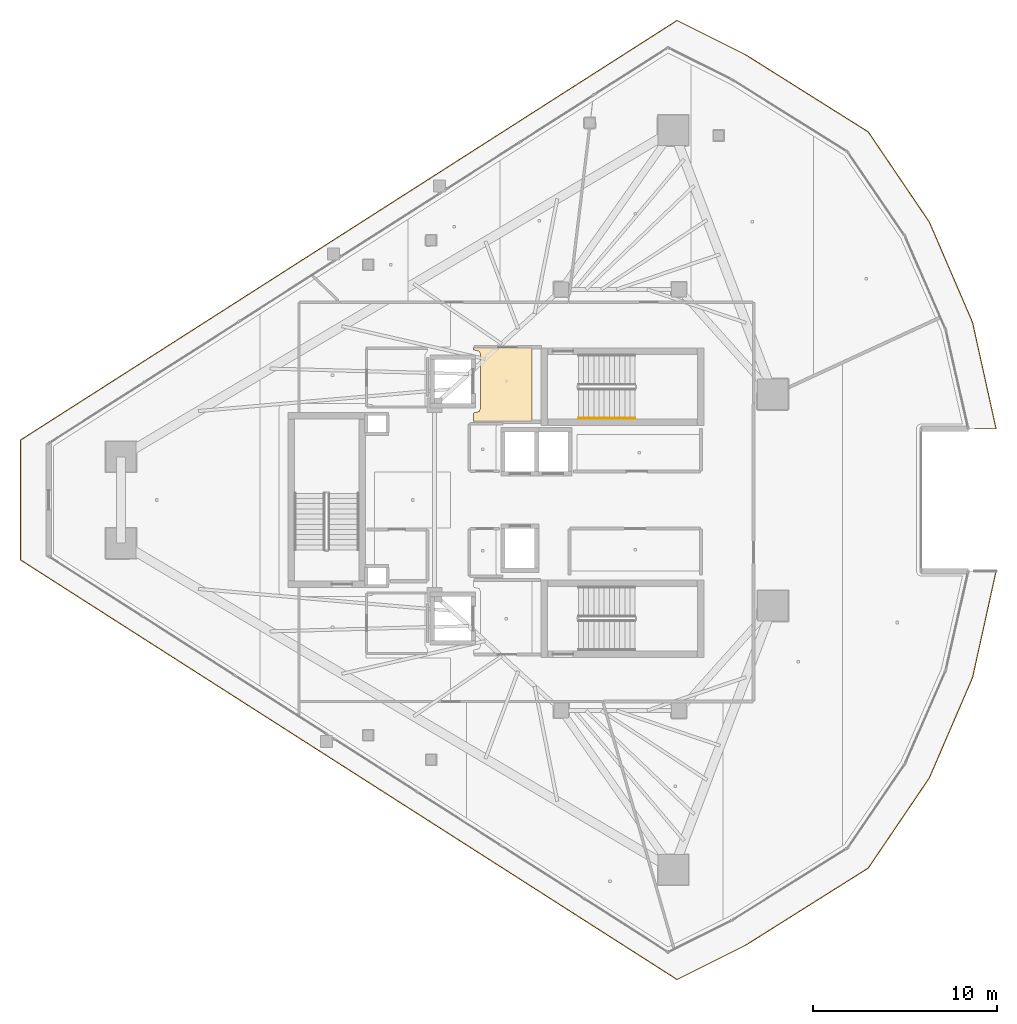
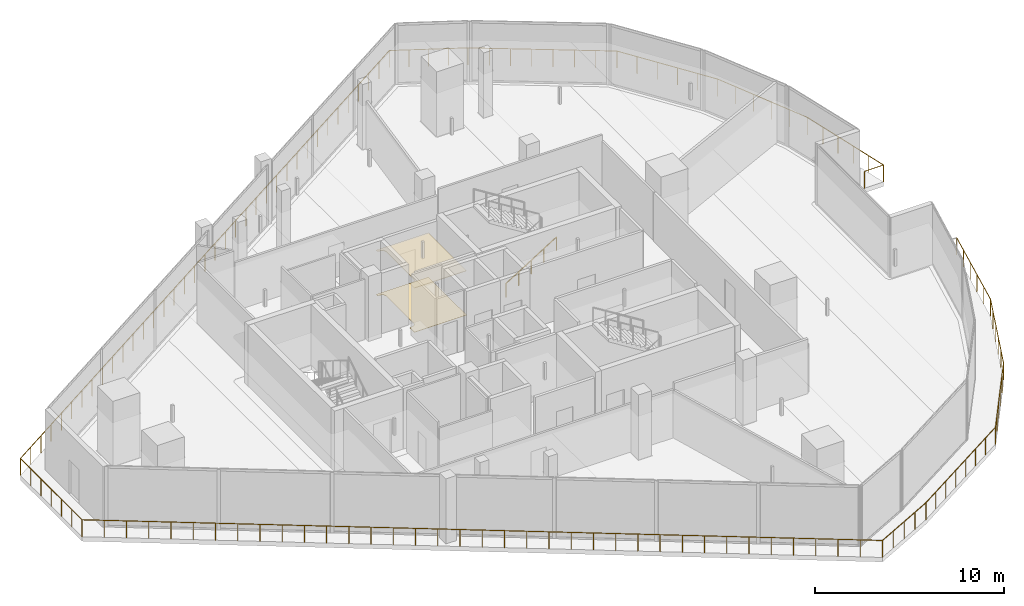
# One storey, part 29 of 31: 2 coverings, 2 railings.
"""IFC4 building model written with IfcOpenShell, lengths in metres."""

from ifc_helpers import new_model, si_unit, direction, frame, origin, origin_2d, place, context, subcontext, project, spatial, polyline, circle, outline, extrude, material, layer, layer_set, type_object, element, save


model = new_model("IFC4")

# Units and contexts
model_context = context("Model", 3, precision=1e-05, world=origin(), true_north=direction((0.0, 1.0)))
body_context = subcontext(model_context, "Body", "Model", "MODEL_VIEW")
ifc_project = project(units=[si_unit("LENGTHUNIT", "METRE"), si_unit("AREAUNIT", "SQUARE_METRE"), si_unit("VOLUMEUNIT", "CUBIC_METRE"), si_unit("PLANEANGLEUNIT", "RADIAN"), si_unit("MASSUNIT", "GRAM", prefix="KILO")], contexts=[model_context])

# Site, building, storey
site_placement = place(None, origin())
site = spatial("IfcSite", under=ifc_project, at=site_placement, CompositionType="ELEMENT")
building_placement = place(site_placement, origin())
building = spatial("IfcBuilding", under=site, at=building_placement, Name="Qorvath Tower", CompositionType="ELEMENT")
storey_placement = place(building_placement, frame((0.0, 0.0, 264.0)))
storey = spatial("IfcBuildingStorey", under=building, at=storey_placement, Name="L61", CompositionType="ELEMENT", Elevation=264.0)

# Coverings
ifc_material_1 = material(Name="Acoustic mineral fibre ceiling tile", Category="gypsum")
ifc_layer_1 = layer(ifc_material_1, 0.030029296875)
ifc_layer_set_1 = layer_set([ifc_layer_1], Name="COV-CEIL")
covering_type_1 = type_object("IfcCoveringType", Name="COV-CEIL", PredefinedType="CEILING", material=ifc_layer_set_1)
covering_1_placement = place(storey_placement, frame((0.0, 0.0, 2.85009765625)))
element("IfcCovering", 1, at=covering_1_placement, inside=storey, type_object=covering_type_1, Name="L61 Suspended Acoustic Ceiling 001", PredefinedType="CEILING", context=body_context, shape_type="SweptSolid", body=[
    extrude(outline(polyline([(-25.18994140625, 4.2548828125), (-25.18994140625, 8.294921875), (-28.375, 8.294921875), (-28.375, 8.159912109375), (-28.063232421875, 8.086669921875), (-27.989990234375, 7.909912109375), (-27.989990234375, 4.989990234375), (-28.063232421875, 4.813232421875), (-28.375, 4.739990234375), (-28.375, 4.2548828125), (-25.18994140625, 4.2548828125)])), origin(), (0.0, 0.0, 1.0), 0.030029296875),
])
ifc_material_2 = material(Name="Polished epoxy terrazzo flooring", Category="concrete")
ifc_layer_2 = layer(ifc_material_2, 0.02001953125)
ifc_layer_set_2 = layer_set([ifc_layer_2], Name="COV-FLOOR-TRZ")
covering_type_2 = type_object("IfcCoveringType", Name="COV-FLOOR-TRZ", PredefinedType="FLOORING", material=ifc_layer_set_2)
covering_2_placement = place(storey_placement, origin())
element("IfcCovering", 2, at=covering_2_placement, inside=storey, type_object=covering_type_2, Name="L61 Floor Finish 001", PredefinedType="FLOORING", context=body_context, shape_type="SweptSolid", body=[
    extrude(outline(polyline([(-25.18994140625, 4.2548828125), (-25.18994140625, 8.294921875), (-28.375, 8.294921875), (-28.375, 8.159912109375), (-28.063232421875, 8.086669921875), (-27.989990234375, 7.909912109375), (-27.989990234375, 4.989990234375), (-28.063232421875, 4.813232421875), (-28.375, 4.739990234375), (-28.375, 4.2548828125), (-25.18994140625, 4.2548828125)])), origin(), (0.0, 0.0, 1.0), 0.014892578125),
])

# Railings
ifc_material_3 = material(Name="Laminated safety glass and stainless steel AISI 316", Category="steel")
railing_type_1 = type_object("IfcRailingType", Name="RL-EXT-GRD", PredefinedType="GUARDRAIL", material=ifc_material_3)
railing_1_placement = place(storey_placement, frame((0.0419921875, -3.871826171875, 0.0)))
element("IfcRailing", 3, at=railing_1_placement, inside=storey, type_object=railing_type_1, Name="Loggia Perimeter Guardrail L61-1.1", PredefinedType="GUARDRAIL", context=body_context, shape_type="SweptSolid", body=[
    extrude(circle(Radius=0.02392578125, at=origin_2d()), frame((0.0, 0.0, 1.09619140625), z_axis=(-0.216101975882, -0.976370798426, 0.0), x_axis=(0.976370798426, -0.216101975882, 0.0)), (0.0, 0.0, 1.0), 5.928955078125),
    extrude(circle(Radius=0.02392578125, at=origin_2d()), frame((-1.28125, -5.788818359375, 1.09619140625), z_axis=(-0.395474271898, -0.91847705484, 0.0), x_axis=(0.91847705484, -0.395474271898, 0.0)), (0.0, 0.0, 1.0), 5.928955078125),
    extrude(circle(Radius=0.02392578125, at=origin_2d()), frame((-3.6259765625, -11.234375, 1.09619140625), z_axis=(-0.560823562392, -0.827935342805, 0.0), x_axis=(0.827935342805, -0.560823562392, 0.0)), (0.0, 0.0, 1.0), 5.92919921875),
    extrude(circle(Radius=0.02392578125, at=origin_2d()), frame((-6.951171875, -16.143310546875, 1.09619140625), z_axis=(-0.846500592816, -0.532387778186, 0.0), x_axis=(0.532387778186, -0.846500592816, 0.0)), (0.0, 0.0, 1.0), 7.88427734375),
    extrude(circle(Radius=0.02392578125, at=origin_2d()), frame((-13.625244140625, -20.3408203125, 1.09619140625), z_axis=(-0.894427191, -0.4472135955, 0.0), x_axis=(0.4472135955, -0.894427191, 0.0)), (0.0, 0.0, 1.0), 4.164794921875),
    extrude(circle(Radius=0.02392578125, at=origin_2d()), frame((-17.350341796875, -22.203369140625, 1.09619140625), z_axis=(-0.842603941371, 0.538533748233, 0.0), x_axis=(-0.538533748233, -0.842603941371, 0.0)), (0.0, 0.0, 1.0), 42.3662109375),
    extrude(circle(Radius=0.02392578125, at=origin_2d()), frame((-53.04833984375, 0.6123046875, 1.09619140625), z_axis=(0.0, 1.0, 0.0), x_axis=(-1.0, 0.0, 0.0)), (0.0, 0.0, 1.0), 6.51904296875),
    extrude(circle(Radius=0.02392578125, at=origin_2d()), frame((-53.04833984375, 7.13134765625, 1.09619140625), z_axis=(0.842603941371, 0.538533748233, 0.0), x_axis=(-0.538533748233, 0.842603941371, 0.0)), (0.0, 0.0, 1.0), 42.3662109375),
    extrude(circle(Radius=0.02392578125, at=origin_2d()), frame((-17.350341796875, 29.947021484375, 1.09619140625), z_axis=(0.894427191, -0.4472135955, 0.0), x_axis=(0.4472135955, 0.894427191, 0.0)), (0.0, 0.0, 1.0), 4.164794921875),
    extrude(circle(Radius=0.02392578125, at=origin_2d()), frame((-13.625244140625, 28.08447265625, 1.09619140625), z_axis=(0.846500592816, -0.532387778186, 0.0), x_axis=(0.532387778186, 0.846500592816, 0.0)), (0.0, 0.0, 1.0), 7.88427734375),
    extrude(circle(Radius=0.02392578125, at=origin_2d()), frame((-6.951171875, 23.886962890625, 1.09619140625), z_axis=(0.560823562392, -0.827935342805, 0.0), x_axis=(0.827935342805, 0.560823562392, 0.0)), (0.0, 0.0, 1.0), 5.92919921875),
    extrude(circle(Radius=0.02392578125, at=origin_2d()), frame((-3.6259765625, 18.97802734375, 1.09619140625), z_axis=(0.395474271898, -0.91847705484, 0.0), x_axis=(0.91847705484, 0.395474271898, 0.0)), (0.0, 0.0, 1.0), 5.928955078125),
    extrude(circle(Radius=0.02392578125, at=origin_2d()), frame((-1.28125, 13.532470703125, 1.09619140625), z_axis=(0.216101975882, -0.976370798426, 0.0), x_axis=(0.976370798426, 0.216101975882, 0.0)), (0.0, 0.0, 1.0), 5.928955078125),
    extrude(circle(Radius=0.02392578125, at=origin_2d()), frame((0.0, 7.74365234375, 1.09619140625), z_axis=(-1.0, 0.0, 0.0), x_axis=(0.0, -1.0, 0.0)), (0.0, 0.0, 1.0), 1.158935546875),
    extrude(circle(Radius=0.02099609375, at=origin_2d()), origin(), (0.0, 0.0, 1.0), 1.072021484375),
    extrude(circle(Radius=0.02099609375, at=origin_2d()), frame((-0.25634765625, -1.15771484375, 0.0)), (0.0, 0.0, 1.0), 1.072021484375),
    extrude(circle(Radius=0.02099609375, at=origin_2d()), frame((-0.512451171875, -2.3154296875, 0.0)), (0.0, 0.0, 1.0), 1.072021484375),
    extrude(circle(Radius=0.02099609375, at=origin_2d()), frame((-0.768798828125, -3.473388671875, 0.0)), (0.0, 0.0, 1.0), 1.072021484375),
    extrude(circle(Radius=0.02099609375, at=origin_2d()), frame((-1.02490234375, -4.631103515625, 0.0)), (0.0, 0.0, 1.0), 1.072021484375),
    extrude(circle(Radius=0.02099609375, at=origin_2d()), frame((-1.28125, -5.788818359375, 0.0)), (0.0, 0.0, 1.0), 1.072021484375),
    extrude(circle(Radius=0.02099609375, at=origin_2d()), frame((-1.750244140625, -6.8779296875, 0.0)), (0.0, 0.0, 1.0), 1.072021484375),
    extrude(circle(Radius=0.02099609375, at=origin_2d()), frame((-2.21923828125, -7.967041015625, 0.0)), (0.0, 0.0, 1.0), 1.072021484375),
    extrude(circle(Radius=0.02099609375, at=origin_2d()), frame((-2.68798828125, -9.05615234375, 0.0)), (0.0, 0.0, 1.0), 1.072021484375),
    extrude(circle(Radius=0.02099609375, at=origin_2d()), frame((-3.156982421875, -10.145263671875, 0.0)), (0.0, 0.0, 1.0), 1.072021484375),
    extrude(circle(Radius=0.02099609375, at=origin_2d()), frame((-3.6259765625, -11.234375, 0.0)), (0.0, 0.0, 1.0), 1.072021484375),
    extrude(circle(Radius=0.02099609375, at=origin_2d()), frame((-4.291015625, -12.216064453125, 0.0)), (0.0, 0.0, 1.0), 1.072021484375),
    extrude(circle(Radius=0.02099609375, at=origin_2d()), frame((-4.9560546875, -13.197998046875, 0.0)), (0.0, 0.0, 1.0), 1.072021484375),
    extrude(circle(Radius=0.02099609375, at=origin_2d()), frame((-5.62109375, -14.1796875, 0.0)), (0.0, 0.0, 1.0), 1.072021484375),
    extrude(circle(Radius=0.02099609375, at=origin_2d()), frame((-6.2861328125, -15.16162109375, 0.0)), (0.0, 0.0, 1.0), 1.072021484375),
    extrude(circle(Radius=0.02099609375, at=origin_2d()), frame((-6.951171875, -16.143310546875, 0.0)), (0.0, 0.0, 1.0), 1.072021484375),
    extrude(circle(Radius=0.02099609375, at=origin_2d()), frame((-7.904541015625, -16.742919921875, 0.0)), (0.0, 0.0, 1.0), 1.072021484375),
    extrude(circle(Radius=0.02099609375, at=origin_2d()), frame((-8.858154296875, -17.342529296875, 0.0)), (0.0, 0.0, 1.0), 1.072021484375),
    extrude(circle(Radius=0.02099609375, at=origin_2d()), frame((-9.8115234375, -17.942138671875, 0.0)), (0.0, 0.0, 1.0), 1.072021484375),
    extrude(circle(Radius=0.02099609375, at=origin_2d()), frame((-10.764892578125, -18.5419921875, 0.0)), (0.0, 0.0, 1.0), 1.072021484375),
    extrude(circle(Radius=0.02099609375, at=origin_2d()), frame((-11.71826171875, -19.1416015625, 0.0)), (0.0, 0.0, 1.0), 1.072021484375),
    extrude(circle(Radius=0.02099609375, at=origin_2d()), frame((-12.671875, -19.7412109375, 0.0)), (0.0, 0.0, 1.0), 1.072021484375),
    extrude(circle(Radius=0.02099609375, at=origin_2d()), frame((-13.625244140625, -20.3408203125, 0.0)), (0.0, 0.0, 1.0), 1.072021484375),
    extrude(circle(Radius=0.02099609375, at=origin_2d()), frame((-14.556640625, -20.806396484375, 0.0)), (0.0, 0.0, 1.0), 1.072021484375),
    extrude(circle(Radius=0.02099609375, at=origin_2d()), frame((-15.48779296875, -21.27197265625, 0.0)), (0.0, 0.0, 1.0), 1.072021484375),
    extrude(circle(Radius=0.02099609375, at=origin_2d()), frame((-16.4189453125, -21.73779296875, 0.0)), (0.0, 0.0, 1.0), 1.072021484375),
    extrude(circle(Radius=0.02099609375, at=origin_2d()), frame((-17.350341796875, -22.203369140625, 0.0)), (0.0, 0.0, 1.0), 1.072021484375),
    extrude(circle(Radius=0.02099609375, at=origin_2d()), frame((-18.342041015625, -21.569580078125, 0.0)), (0.0, 0.0, 1.0), 1.072021484375),
    extrude(circle(Radius=0.02099609375, at=origin_2d()), frame((-19.33349609375, -20.935791015625, 0.0)), (0.0, 0.0, 1.0), 1.072021484375),
    extrude(circle(Radius=0.02099609375, at=origin_2d()), frame((-20.3251953125, -20.302001953125, 0.0)), (0.0, 0.0, 1.0), 1.072021484375),
    extrude(circle(Radius=0.02099609375, at=origin_2d()), frame((-21.31689453125, -19.668212890625, 0.0)), (0.0, 0.0, 1.0), 1.072021484375),
    extrude(circle(Radius=0.02099609375, at=origin_2d()), frame((-22.308349609375, -19.034423828125, 0.0)), (0.0, 0.0, 1.0), 1.072021484375),
    extrude(circle(Radius=0.02099609375, at=origin_2d()), frame((-23.300048828125, -18.40087890625, 0.0)), (0.0, 0.0, 1.0), 1.072021484375),
    extrude(circle(Radius=0.02099609375, at=origin_2d()), frame((-24.29150390625, -17.76708984375, 0.0)), (0.0, 0.0, 1.0), 1.072021484375),
    extrude(circle(Radius=0.02099609375, at=origin_2d()), frame((-25.283203125, -17.13330078125, 0.0)), (0.0, 0.0, 1.0), 1.072021484375),
    extrude(circle(Radius=0.02099609375, at=origin_2d()), frame((-26.27490234375, -16.49951171875, 0.0)), (0.0, 0.0, 1.0), 1.072021484375),
    extrude(circle(Radius=0.02099609375, at=origin_2d()), frame((-27.266357421875, -15.86572265625, 0.0)), (0.0, 0.0, 1.0), 1.072021484375),
    extrude(circle(Radius=0.02099609375, at=origin_2d()), frame((-28.258056640625, -15.23193359375, 0.0)), (0.0, 0.0, 1.0), 1.072021484375),
    extrude(circle(Radius=0.02099609375, at=origin_2d()), frame((-29.249755859375, -14.59814453125, 0.0)), (0.0, 0.0, 1.0), 1.072021484375),
    extrude(circle(Radius=0.02099609375, at=origin_2d()), frame((-30.2412109375, -13.96435546875, 0.0)), (0.0, 0.0, 1.0), 1.072021484375),
    extrude(circle(Radius=0.02099609375, at=origin_2d()), frame((-31.23291015625, -13.33056640625, 0.0)), (0.0, 0.0, 1.0), 1.072021484375),
    extrude(circle(Radius=0.02099609375, at=origin_2d()), frame((-32.224609375, -12.69677734375, 0.0)), (0.0, 0.0, 1.0), 1.072021484375),
    extrude(circle(Radius=0.02099609375, at=origin_2d()), frame((-33.216064453125, -12.06298828125, 0.0)), (0.0, 0.0, 1.0), 1.072021484375),
    extrude(circle(Radius=0.02099609375, at=origin_2d()), frame((-34.207763671875, -11.42919921875, 0.0)), (0.0, 0.0, 1.0), 1.072021484375),
    extrude(circle(Radius=0.02099609375, at=origin_2d()), frame((-35.19921875, -10.79541015625, 0.0)), (0.0, 0.0, 1.0), 1.072021484375),
    extrude(circle(Radius=0.02099609375, at=origin_2d()), frame((-36.19091796875, -10.161865234375, 0.0)), (0.0, 0.0, 1.0), 1.072021484375),
    extrude(circle(Radius=0.02099609375, at=origin_2d()), frame((-37.1826171875, -9.528076171875, 0.0)), (0.0, 0.0, 1.0), 1.072021484375),
    extrude(circle(Radius=0.02099609375, at=origin_2d()), frame((-38.174072265625, -8.894287109375, 0.0)), (0.0, 0.0, 1.0), 1.072021484375),
    extrude(circle(Radius=0.02099609375, at=origin_2d()), frame((-39.165771484375, -8.260498046875, 0.0)), (0.0, 0.0, 1.0), 1.072021484375),
    extrude(circle(Radius=0.02099609375, at=origin_2d()), frame((-40.157470703125, -7.626708984375, 0.0)), (0.0, 0.0, 1.0), 1.072021484375),
    extrude(circle(Radius=0.02099609375, at=origin_2d()), frame((-41.14892578125, -6.992919921875, 0.0)), (0.0, 0.0, 1.0), 1.072021484375),
    extrude(circle(Radius=0.02099609375, at=origin_2d()), frame((-42.140625, -6.359130859375, 0.0)), (0.0, 0.0, 1.0), 1.072021484375),
    extrude(circle(Radius=0.02099609375, at=origin_2d()), frame((-43.13232421875, -5.725341796875, 0.0)), (0.0, 0.0, 1.0), 1.072021484375),
    extrude(circle(Radius=0.02099609375, at=origin_2d()), frame((-44.123779296875, -5.091552734375, 0.0)), (0.0, 0.0, 1.0), 1.072021484375),
    extrude(circle(Radius=0.02099609375, at=origin_2d()), frame((-45.115478515625, -4.457763671875, 0.0)), (0.0, 0.0, 1.0), 1.072021484375),
    extrude(circle(Radius=0.02099609375, at=origin_2d()), frame((-46.107177734375, -3.823974609375, 0.0)), (0.0, 0.0, 1.0), 1.072021484375),
    extrude(circle(Radius=0.02099609375, at=origin_2d()), frame((-47.0986328125, -3.1904296875, 0.0)), (0.0, 0.0, 1.0), 1.072021484375),
    extrude(circle(Radius=0.02099609375, at=origin_2d()), frame((-48.09033203125, -2.556640625, 0.0)), (0.0, 0.0, 1.0), 1.072021484375),
    extrude(circle(Radius=0.02099609375, at=origin_2d()), frame((-49.081787109375, -1.9228515625, 0.0)), (0.0, 0.0, 1.0), 1.072021484375),
    extrude(circle(Radius=0.02099609375, at=origin_2d()), frame((-50.073486328125, -1.2890625, 0.0)), (0.0, 0.0, 1.0), 1.072021484375),
    extrude(circle(Radius=0.02099609375, at=origin_2d()), frame((-51.065185546875, -0.6552734375, 0.0)), (0.0, 0.0, 1.0), 1.072021484375),
    extrude(circle(Radius=0.02099609375, at=origin_2d()), frame((-52.056640625, -0.021484375, 0.0)), (0.0, 0.0, 1.0), 1.072021484375),
    extrude(circle(Radius=0.02099609375, at=origin_2d()), frame((-53.04833984375, 0.6123046875, 0.0)), (0.0, 0.0, 1.0), 1.072021484375),
    extrude(circle(Radius=0.02099609375, at=origin_2d()), frame((-53.04833984375, 1.69873046875, 0.0)), (0.0, 0.0, 1.0), 1.072021484375),
    extrude(circle(Radius=0.02099609375, at=origin_2d()), frame((-53.04833984375, 2.785400390625, 0.0)), (0.0, 0.0, 1.0), 1.072021484375),
    extrude(circle(Radius=0.02099609375, at=origin_2d()), frame((-53.04833984375, 3.871826171875, 0.0)), (0.0, 0.0, 1.0), 1.072021484375),
    extrude(circle(Radius=0.02099609375, at=origin_2d()), frame((-53.04833984375, 4.958251953125, 0.0)), (0.0, 0.0, 1.0), 1.072021484375),
    extrude(circle(Radius=0.02099609375, at=origin_2d()), frame((-53.04833984375, 6.044921875, 0.0)), (0.0, 0.0, 1.0), 1.072021484375),
    extrude(circle(Radius=0.02099609375, at=origin_2d()), frame((-53.04833984375, 7.13134765625, 0.0)), (0.0, 0.0, 1.0), 1.072021484375),
    extrude(circle(Radius=0.02099609375, at=origin_2d()), frame((-52.056640625, 7.76513671875, 0.0)), (0.0, 0.0, 1.0), 1.072021484375),
    extrude(circle(Radius=0.02099609375, at=origin_2d()), frame((-51.065185546875, 8.39892578125, 0.0)), (0.0, 0.0, 1.0), 1.072021484375),
    extrude(circle(Radius=0.02099609375, at=origin_2d()), frame((-50.073486328125, 9.03271484375, 0.0)), (0.0, 0.0, 1.0), 1.072021484375),
    extrude(circle(Radius=0.02099609375, at=origin_2d()), frame((-49.081787109375, 9.66650390625, 0.0)), (0.0, 0.0, 1.0), 1.072021484375),
    extrude(circle(Radius=0.02099609375, at=origin_2d()), frame((-48.09033203125, 10.30029296875, 0.0)), (0.0, 0.0, 1.0), 1.072021484375),
    extrude(circle(Radius=0.02099609375, at=origin_2d()), frame((-47.0986328125, 10.93408203125, 0.0)), (0.0, 0.0, 1.0), 1.072021484375),
    extrude(circle(Radius=0.02099609375, at=origin_2d()), frame((-46.107177734375, 11.567626953125, 0.0)), (0.0, 0.0, 1.0), 1.072021484375),
    extrude(circle(Radius=0.02099609375, at=origin_2d()), frame((-45.115478515625, 12.201416015625, 0.0)), (0.0, 0.0, 1.0), 1.072021484375),
    extrude(circle(Radius=0.02099609375, at=origin_2d()), frame((-44.123779296875, 12.835205078125, 0.0)), (0.0, 0.0, 1.0), 1.072021484375),
    extrude(circle(Radius=0.02099609375, at=origin_2d()), frame((-43.13232421875, 13.468994140625, 0.0)), (0.0, 0.0, 1.0), 1.072021484375),
    extrude(circle(Radius=0.02099609375, at=origin_2d()), frame((-42.140625, 14.102783203125, 0.0)), (0.0, 0.0, 1.0), 1.072021484375),
    extrude(circle(Radius=0.02099609375, at=origin_2d()), frame((-41.14892578125, 14.736572265625, 0.0)), (0.0, 0.0, 1.0), 1.072021484375),
    extrude(circle(Radius=0.02099609375, at=origin_2d()), frame((-40.157470703125, 15.370361328125, 0.0)), (0.0, 0.0, 1.0), 1.072021484375),
    extrude(circle(Radius=0.02099609375, at=origin_2d()), frame((-39.165771484375, 16.004150390625, 0.0)), (0.0, 0.0, 1.0), 1.072021484375),
    extrude(circle(Radius=0.02099609375, at=origin_2d()), frame((-38.174072265625, 16.637939453125, 0.0)), (0.0, 0.0, 1.0), 1.072021484375),
    extrude(circle(Radius=0.02099609375, at=origin_2d()), frame((-37.1826171875, 17.271728515625, 0.0)), (0.0, 0.0, 1.0), 1.072021484375),
    extrude(circle(Radius=0.02099609375, at=origin_2d()), frame((-36.19091796875, 17.905517578125, 0.0)), (0.0, 0.0, 1.0), 1.072021484375),
    extrude(circle(Radius=0.02099609375, at=origin_2d()), frame((-35.19921875, 18.5390625, 0.0)), (0.0, 0.0, 1.0), 1.072021484375),
    extrude(circle(Radius=0.02099609375, at=origin_2d()), frame((-34.207763671875, 19.1728515625, 0.0)), (0.0, 0.0, 1.0), 1.072021484375),
    extrude(circle(Radius=0.02099609375, at=origin_2d()), frame((-33.216064453125, 19.806640625, 0.0)), (0.0, 0.0, 1.0), 1.072021484375),
    extrude(circle(Radius=0.02099609375, at=origin_2d()), frame((-32.224609375, 20.4404296875, 0.0)), (0.0, 0.0, 1.0), 1.072021484375),
    extrude(circle(Radius=0.02099609375, at=origin_2d()), frame((-31.23291015625, 21.07421875, 0.0)), (0.0, 0.0, 1.0), 1.072021484375),
    extrude(circle(Radius=0.02099609375, at=origin_2d()), frame((-30.2412109375, 21.7080078125, 0.0)), (0.0, 0.0, 1.0), 1.072021484375),
    extrude(circle(Radius=0.02099609375, at=origin_2d()), frame((-29.249755859375, 22.341796875, 0.0)), (0.0, 0.0, 1.0), 1.072021484375),
    extrude(circle(Radius=0.02099609375, at=origin_2d()), frame((-28.258056640625, 22.9755859375, 0.0)), (0.0, 0.0, 1.0), 1.072021484375),
    extrude(circle(Radius=0.02099609375, at=origin_2d()), frame((-27.266357421875, 23.609375, 0.0)), (0.0, 0.0, 1.0), 1.072021484375),
    extrude(circle(Radius=0.02099609375, at=origin_2d()), frame((-26.27490234375, 24.2431640625, 0.0)), (0.0, 0.0, 1.0), 1.072021484375),
    extrude(circle(Radius=0.02099609375, at=origin_2d()), frame((-25.283203125, 24.876953125, 0.0)), (0.0, 0.0, 1.0), 1.072021484375),
    extrude(circle(Radius=0.02099609375, at=origin_2d()), frame((-24.29150390625, 25.5107421875, 0.0)), (0.0, 0.0, 1.0), 1.072021484375),
    extrude(circle(Radius=0.02099609375, at=origin_2d()), frame((-23.300048828125, 26.14453125, 0.0)), (0.0, 0.0, 1.0), 1.072021484375),
    extrude(circle(Radius=0.02099609375, at=origin_2d()), frame((-22.308349609375, 26.778076171875, 0.0)), (0.0, 0.0, 1.0), 1.072021484375),
    extrude(circle(Radius=0.02099609375, at=origin_2d()), frame((-21.31689453125, 27.411865234375, 0.0)), (0.0, 0.0, 1.0), 1.072021484375),
    extrude(circle(Radius=0.02099609375, at=origin_2d()), frame((-20.3251953125, 28.045654296875, 0.0)), (0.0, 0.0, 1.0), 1.072021484375),
    extrude(circle(Radius=0.02099609375, at=origin_2d()), frame((-19.33349609375, 28.679443359375, 0.0)), (0.0, 0.0, 1.0), 1.072021484375),
    extrude(circle(Radius=0.02099609375, at=origin_2d()), frame((-18.342041015625, 29.313232421875, 0.0)), (0.0, 0.0, 1.0), 1.072021484375),
    extrude(circle(Radius=0.02099609375, at=origin_2d()), frame((-17.350341796875, 29.947021484375, 0.0)), (0.0, 0.0, 1.0), 1.072021484375),
    extrude(circle(Radius=0.02099609375, at=origin_2d()), frame((-16.4189453125, 29.4814453125, 0.0)), (0.0, 0.0, 1.0), 1.072021484375),
    extrude(circle(Radius=0.02099609375, at=origin_2d()), frame((-15.48779296875, 29.015625, 0.0)), (0.0, 0.0, 1.0), 1.072021484375),
    extrude(circle(Radius=0.02099609375, at=origin_2d()), frame((-14.556640625, 28.550048828125, 0.0)), (0.0, 0.0, 1.0), 1.072021484375),
    extrude(circle(Radius=0.02099609375, at=origin_2d()), frame((-13.625244140625, 28.08447265625, 0.0)), (0.0, 0.0, 1.0), 1.072021484375),
    extrude(circle(Radius=0.02099609375, at=origin_2d()), frame((-12.671875, 27.48486328125, 0.0)), (0.0, 0.0, 1.0), 1.072021484375),
    extrude(circle(Radius=0.02099609375, at=origin_2d()), frame((-11.71826171875, 26.88525390625, 0.0)), (0.0, 0.0, 1.0), 1.072021484375),
    extrude(circle(Radius=0.02099609375, at=origin_2d()), frame((-10.764892578125, 26.28564453125, 0.0)), (0.0, 0.0, 1.0), 1.072021484375),
    extrude(circle(Radius=0.02099609375, at=origin_2d()), frame((-9.8115234375, 25.685791015625, 0.0)), (0.0, 0.0, 1.0), 1.072021484375),
    extrude(circle(Radius=0.02099609375, at=origin_2d()), frame((-8.858154296875, 25.086181640625, 0.0)), (0.0, 0.0, 1.0), 1.072021484375),
    extrude(circle(Radius=0.02099609375, at=origin_2d()), frame((-7.904541015625, 24.486572265625, 0.0)), (0.0, 0.0, 1.0), 1.072021484375),
    extrude(circle(Radius=0.02099609375, at=origin_2d()), frame((-6.951171875, 23.886962890625, 0.0)), (0.0, 0.0, 1.0), 1.072021484375),
    extrude(circle(Radius=0.02099609375, at=origin_2d()), frame((-6.2861328125, 22.9052734375, 0.0)), (0.0, 0.0, 1.0), 1.072021484375),
    extrude(circle(Radius=0.02099609375, at=origin_2d()), frame((-5.62109375, 21.92333984375, 0.0)), (0.0, 0.0, 1.0), 1.072021484375),
    extrude(circle(Radius=0.02099609375, at=origin_2d()), frame((-4.9560546875, 20.941650390625, 0.0)), (0.0, 0.0, 1.0), 1.072021484375),
    extrude(circle(Radius=0.02099609375, at=origin_2d()), frame((-4.291015625, 19.959716796875, 0.0)), (0.0, 0.0, 1.0), 1.072021484375),
    extrude(circle(Radius=0.02099609375, at=origin_2d()), frame((-3.6259765625, 18.97802734375, 0.0)), (0.0, 0.0, 1.0), 1.072021484375),
    extrude(circle(Radius=0.02099609375, at=origin_2d()), frame((-3.156982421875, 17.888916015625, 0.0)), (0.0, 0.0, 1.0), 1.072021484375),
    extrude(circle(Radius=0.02099609375, at=origin_2d()), frame((-2.68798828125, 16.7998046875, 0.0)), (0.0, 0.0, 1.0), 1.072021484375),
    extrude(circle(Radius=0.02099609375, at=origin_2d()), frame((-2.21923828125, 15.710693359375, 0.0)), (0.0, 0.0, 1.0), 1.072021484375),
    extrude(circle(Radius=0.02099609375, at=origin_2d()), frame((-1.750244140625, 14.62158203125, 0.0)), (0.0, 0.0, 1.0), 1.072021484375),
    extrude(circle(Radius=0.02099609375, at=origin_2d()), frame((-1.28125, 13.532470703125, 0.0)), (0.0, 0.0, 1.0), 1.072021484375),
    extrude(circle(Radius=0.02099609375, at=origin_2d()), frame((-1.02490234375, 12.374755859375, 0.0)), (0.0, 0.0, 1.0), 1.072021484375),
    extrude(circle(Radius=0.02099609375, at=origin_2d()), frame((-0.768798828125, 11.217041015625, 0.0)), (0.0, 0.0, 1.0), 1.072021484375),
    extrude(circle(Radius=0.02099609375, at=origin_2d()), frame((-0.512451171875, 10.05908203125, 0.0)), (0.0, 0.0, 1.0), 1.072021484375),
    extrude(circle(Radius=0.02099609375, at=origin_2d()), frame((-0.25634765625, 8.9013671875, 0.0)), (0.0, 0.0, 1.0), 1.072021484375),
    extrude(circle(Radius=0.02099609375, at=origin_2d()), frame((0.0, 7.74365234375, 0.0)), (0.0, 0.0, 1.0), 1.072021484375),
    extrude(circle(Radius=0.02099609375, at=origin_2d()), frame((-1.158935546875, 7.74365234375, 0.0)), (0.0, 0.0, 1.0), 1.072021484375),
])
ifc_material_4 = material(Name="Brushed stainless steel AISI 304", Category="steel")
railing_type_2 = type_object("IfcRailingType", Name="RL-STR-HND", PredefinedType="HANDRAIL", material=ifc_material_4)
railing_2_placement = place(storey_placement, frame((-22.669921875, 4.449951171875, 0.175048828125)))
element("IfcRailing", 4, at=railing_2_placement, inside=storey, type_object=railing_type_2, Name="L61 TS1 stair handrail 1", PredefinedType="HANDRAIL", context=body_context, shape_type="SweptSolid", body=[
    extrude(circle(Radius=0.02392578125, at=origin_2d()), frame((0.0, 0.0, 0.8759765625), z_axis=(0.847979421464, 0.0, 0.530029150871), x_axis=(0.0, 1.0, 0.0)), (0.0, 0.0, 1.0), 3.632080078125),
    extrude(circle(Radius=0.02099609375, at=origin_2d()), origin(), (0.0, 0.0, 1.0), 0.851806640625),
    extrude(circle(Radius=0.02099609375, at=origin_2d()), frame((0.77001953125, 0.0, 0.481201171875)), (0.0, 0.0, 1.0), 0.851806640625),
    extrude(circle(Radius=0.02099609375, at=origin_2d()), frame((1.5400390625, 0.0, 0.96240234375)), (0.0, 0.0, 1.0), 0.851806640625),
    extrude(circle(Radius=0.02099609375, at=origin_2d()), frame((2.309814453125, 0.0, 1.44384765625)), (0.0, 0.0, 1.0), 0.851806640625),
    extrude(circle(Radius=0.02099609375, at=origin_2d()), frame((3.079833984375, 0.0, 1.925048828125)), (0.0, 0.0, 1.0), 0.851806640625),
])

save(model, "model.ifc")
